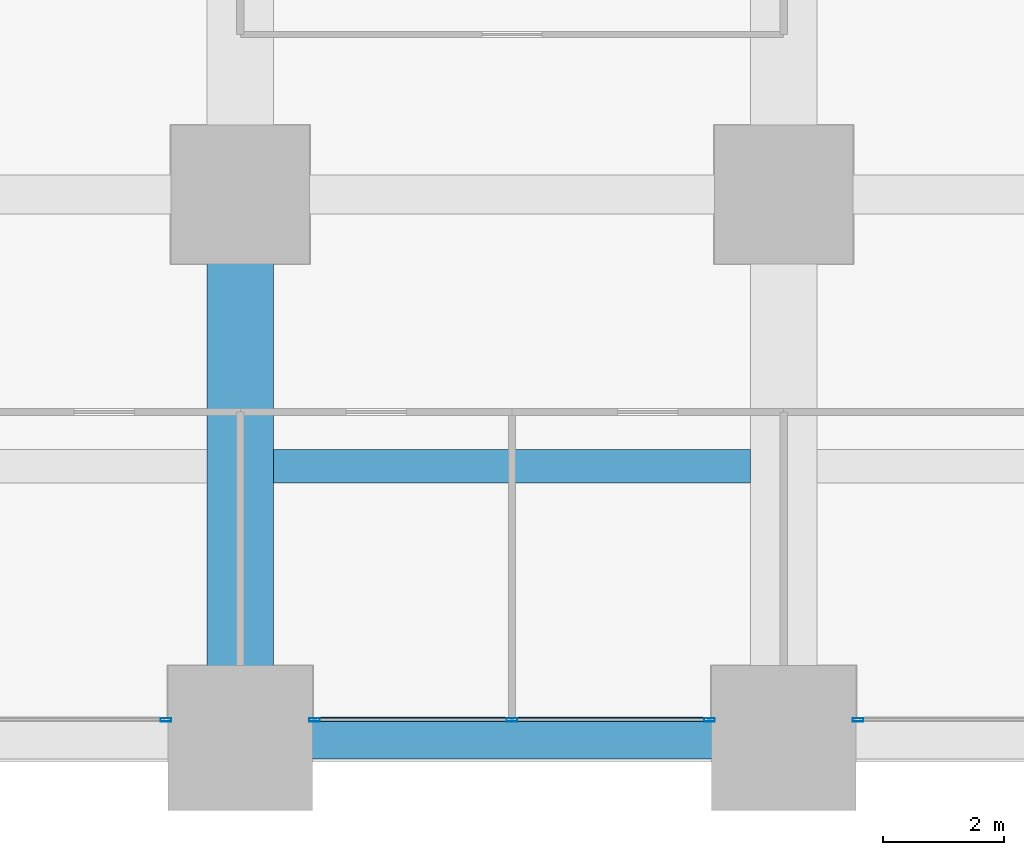
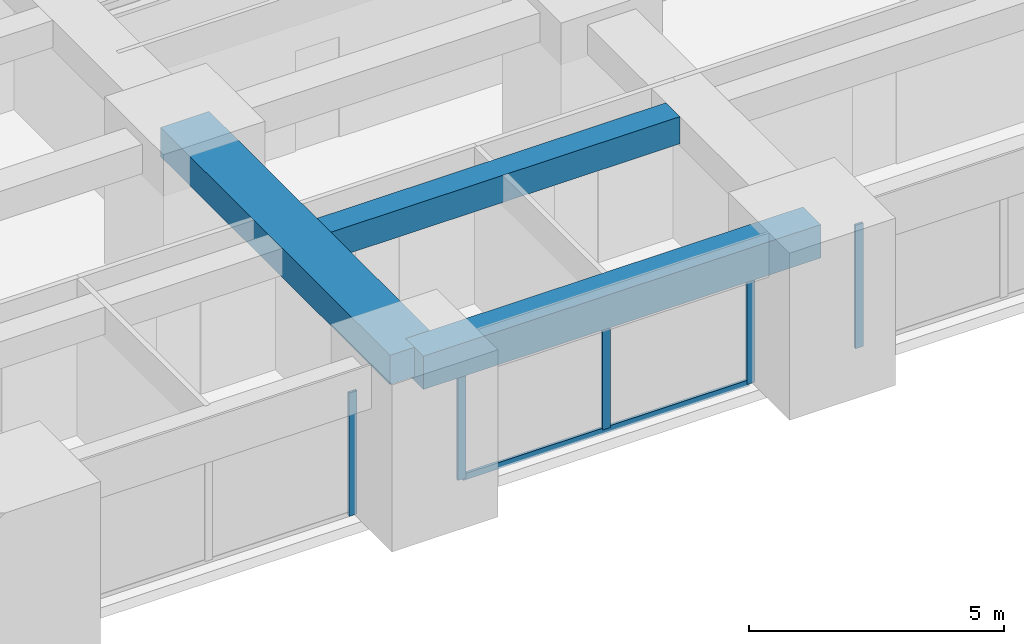
# One storey, part 6 of 44: 6 members, 3 beams, 3 elements without a shape of their own.
"""IFC4 building model written with IfcOpenShell, lengths in metres."""

from ifc_helpers import new_model, si_unit, direction, frame, origin, origin_2d, place, context, subcontext, project, spatial, rectangle, hollow_rectangle, extrude, material, material_profile, profile_set, type_object, element, aggregate, save


model = new_model("IFC4")

# Units and contexts
model_context = context("Model", 3, precision=1e-05, world=origin(), true_north=direction((0.0, 1.0)))
body_context = subcontext(model_context, "Body", "Model", "MODEL_VIEW")
ifc_project = project(units=[si_unit("LENGTHUNIT", "METRE"), si_unit("AREAUNIT", "SQUARE_METRE"), si_unit("VOLUMEUNIT", "CUBIC_METRE"), si_unit("PLANEANGLEUNIT", "RADIAN"), si_unit("MASSUNIT", "GRAM", prefix="KILO")], contexts=[model_context])

# Site, building, storey
site_placement = place(None, origin())
site = spatial("IfcSite", under=ifc_project, at=site_placement, CompositionType="ELEMENT")
building_placement = place(site_placement, origin())
building = spatial("IfcBuilding", under=site, at=building_placement, Name="Zorevar Civic Tower", CompositionType="ELEMENT")
storey_placement = place(building_placement, frame((0.0, 0.0, 43.800048828125)))
storey = spatial("IfcBuildingStorey", under=building, at=storey_placement, Name="L10", CompositionType="ELEMENT", Elevation=43.800048828125)

# Beams
ifc_material_1 = material(Name="Concrete C50/60", Category="concrete")
ifc_material_profile_1 = material_profile(ifc_material_1, rectangle(XDim=1.10009765625, YDim=0.699951171875, at=origin_2d()), Name="RC 1100x700")
ifc_profile_set_1 = profile_set([ifc_material_profile_1], Name="Concrete C50/60")
beam_type_1 = type_object("IfcBeamType", Name="Beam RC 1100x700", PredefinedType="BEAM", material=ifc_profile_set_1)
beam_1_placement = place(storey_placement, frame((18.0, 0.0, 3.39990234375), z_axis=(0.0, 1.0, 0.0), x_axis=(-1.0, 0.0, 0.0)))
element("IfcBeam", 1, at=beam_1_placement, inside=storey, type_object=beam_type_1, Name="Girder L11", PredefinedType="BEAM", context=body_context, shape_type="SweptSolid", body=[
    extrude(rectangle(XDim=1.10009765625, YDim=0.699951171875, at=origin_2d()), origin(), (0.0, 0.0, 1.0), 9.0),
])
ifc_material_2 = material(Name="Concrete C50/60", Category="concrete")
ifc_material_profile_2 = material_profile(ifc_material_2, rectangle(XDim=0.550048828125, YDim=0.64990234375, at=origin_2d()), Name="RC 550x650")
ifc_profile_set_2 = profile_set([ifc_material_profile_2], Name="Concrete C50/60")
beam_type_2 = type_object("IfcBeamType", Name="Beam RC 550x650", PredefinedType="BEAM", material=ifc_profile_set_2)
beam_2_placement = place(storey_placement, frame((18.550048828125, 4.5, 3.425048828125), z_axis=(1.0, 0.0, 0.0), x_axis=(0.0, 1.0, 0.0)))
element("IfcBeam", 2, at=beam_2_placement, inside=storey, type_object=beam_type_2, Name="Secondary beam L11", PredefinedType="BEAM", context=body_context, shape_type="SweptSolid", body=[
    extrude(rectangle(XDim=0.550048828125, YDim=0.64990234375, at=origin_2d()), origin(), (0.0, 0.0, 1.0), 7.89990234375),
])

# Curtain wall, member
ifc_material_3 = material(Name="Dark grey solar-control glass in black aluminium frame", Category="aluminium")
curtain_wall_type = type_object("IfcCurtainWallType", Name="Curtain wall CW2 low zone", PredefinedType="NOTDEFINED", material=ifc_material_3)
curtain_wall_1_placement = place(storey_placement, origin())
curtain_wall_1 = element("IfcCurtainWall", 3, at=curtain_wall_1_placement, inside=storey, type_object=curtain_wall_type, Name="CW2 L10", PredefinedType="NOTDEFINED")
ifc_material_4 = material(Name="Aluminium, black anodised", Category="aluminium")
ifc_material_profile_3 = material_profile(ifc_material_4, hollow_rectangle(XDim=0.06005859375, YDim=0.179931640625, WallThickness=0.00390625, at=origin_2d()), Name="AL 180x60x4")
ifc_profile_set_3 = profile_set([ifc_material_profile_3], Name="Aluminium, black anodised")
member_type_1 = type_object("IfcMemberType", Name="CW2 mullion AL 180x60x4", PredefinedType="MULLION", material=ifc_profile_set_3)
member_1_placement = place(storey_placement, frame((16.77001953125, 0.300048828125, 0.0), z_axis=(0.0, 0.0, 1.0), x_axis=(0.0, 1.0, 0.0)))
member_1 = element("IfcMember", 4, at=member_1_placement, type_object=member_type_1, Name="CW2 mullion 3", PredefinedType="MULLION", context=body_context, shape_type="SweptSolid", body=[
    extrude(hollow_rectangle(XDim=0.06005859375, YDim=0.179931640625, WallThickness=0.00390625, at=origin_2d()), origin(), (0.0, 0.0, 1.0), 2.949951171875),
])
aggregate(curtain_wall_1, [member_1])

# Curtain wall, members
curtain_wall_2_placement = place(storey_placement, origin())
curtain_wall_2 = element("IfcCurtainWall", 5, at=curtain_wall_2_placement, inside=storey, type_object=curtain_wall_type, Name="CW2 L10", PredefinedType="NOTDEFINED")
member_2_placement = place(storey_placement, frame((19.22998046875, 0.300048828125, 0.0), z_axis=(0.0, 0.0, 1.0), x_axis=(0.0, 1.0, 0.0)))
member_2 = element("IfcMember", 6, at=member_2_placement, type_object=member_type_1, Name="CW2 mullion 1", PredefinedType="MULLION", context=body_context, shape_type="SweptSolid", body=[
    extrude(hollow_rectangle(XDim=0.06005859375, YDim=0.179931640625, WallThickness=0.00390625, at=origin_2d()), origin(), (0.0, 0.0, 1.0), 2.949951171875),
])
member_3_placement = place(storey_placement, frame((22.5, 0.300048828125, 0.06005859375), z_axis=(0.0, 0.0, 1.0), x_axis=(0.0, 1.0, 0.0)))
member_3 = element("IfcMember", 7, at=member_3_placement, type_object=member_type_1, Name="CW2 mullion 2", PredefinedType="MULLION", context=body_context, shape_type="SweptSolid", body=[
    extrude(hollow_rectangle(XDim=0.06005859375, YDim=0.179931640625, WallThickness=0.00390625, at=origin_2d()), origin(), (0.0, 0.0, 1.0), 2.889892578125),
])
member_4_placement = place(storey_placement, frame((25.77001953125, 0.300048828125, 0.0), z_axis=(0.0, 0.0, 1.0), x_axis=(0.0, 1.0, 0.0)))
member_4 = element("IfcMember", 8, at=member_4_placement, type_object=member_type_1, Name="CW2 mullion 3", PredefinedType="MULLION", context=body_context, shape_type="SweptSolid", body=[
    extrude(hollow_rectangle(XDim=0.06005859375, YDim=0.179931640625, WallThickness=0.00390625, at=origin_2d()), origin(), (0.0, 0.0, 1.0), 2.949951171875),
])

# Curtain wall, member
curtain_wall_3_placement = place(storey_placement, origin())
curtain_wall_3 = element("IfcCurtainWall", 9, at=curtain_wall_3_placement, inside=storey, type_object=curtain_wall_type, Name="CW2 L10", PredefinedType="NOTDEFINED")
member_5_placement = place(storey_placement, frame((28.22998046875, 0.300048828125, 0.0), z_axis=(0.0, 0.0, 1.0), x_axis=(0.0, 1.0, 0.0)))
member_5 = element("IfcMember", 10, at=member_5_placement, type_object=member_type_1, Name="CW2 mullion 1", PredefinedType="MULLION", context=body_context, shape_type="SweptSolid", body=[
    extrude(hollow_rectangle(XDim=0.06005859375, YDim=0.179931640625, WallThickness=0.00390625, at=origin_2d()), origin(), (0.0, 0.0, 1.0), 2.949951171875),
])
aggregate(curtain_wall_3, [member_5])

# Member
ifc_material_5 = material(Name="Aluminium, black anodised", Category="aluminium")
ifc_material_profile_4 = material_profile(ifc_material_5, hollow_rectangle(XDim=0.06005859375, YDim=0.14990234375, WallThickness=0.00390625, at=origin_2d()), Name="AL 150x60x4")
ifc_profile_set_4 = profile_set([ifc_material_profile_4], Name="Aluminium, black anodised")
member_type_2 = type_object("IfcMemberType", Name="CW2 transom AL 150x60x4", PredefinedType="USERDEFINED", material=ifc_profile_set_4)
member_6_placement = place(storey_placement, frame((19.260009765625, 0.300048828125, 0.030029296875), z_axis=(1.0, 0.0, 0.0), x_axis=(0.0, 1.0, 0.0)))
member_6 = element("IfcMember", 11, at=member_6_placement, type_object=member_type_2, Name="CW2 sill transom", ObjectType="TRANSOM", PredefinedType="USERDEFINED", context=body_context, shape_type="SweptSolid", body=[
    extrude(hollow_rectangle(XDim=0.06005859375, YDim=0.14990234375, WallThickness=0.00390625, at=origin_2d()), origin(), (0.0, 0.0, 1.0), 6.47998046875),
])

aggregate(curtain_wall_2, [member_2, member_3, member_4, member_6])

# Beam
ifc_material_6 = material(Name="Concrete C50/60", Category="concrete")
ifc_material_profile_5 = material_profile(ifc_material_6, rectangle(XDim=0.699951171875, YDim=0.800048828125, at=origin_2d()), Name="RC 700x800")
ifc_profile_set_5 = profile_set([ifc_material_profile_5], Name="Concrete C50/60")
beam_type_3 = type_object("IfcBeamType", Name="Edge beam RC 700x800", PredefinedType="SPANDREL", material=ifc_profile_set_5)
beam_3_placement = place(storey_placement, frame((18.0, 0.0, 3.349853515625), z_axis=(1.0, 0.0, 0.0), x_axis=(0.0, 1.0, 0.0)))
element("IfcBeam", 12, at=beam_3_placement, inside=storey, type_object=beam_type_3, Name="Edge beam L11", PredefinedType="SPANDREL", context=body_context, shape_type="SweptSolid", body=[
    extrude(rectangle(XDim=0.699951171875, YDim=0.800048828125, at=origin_2d()), origin(), (0.0, 0.0, 1.0), 9.0),
])

save(model, "model.ifc")
